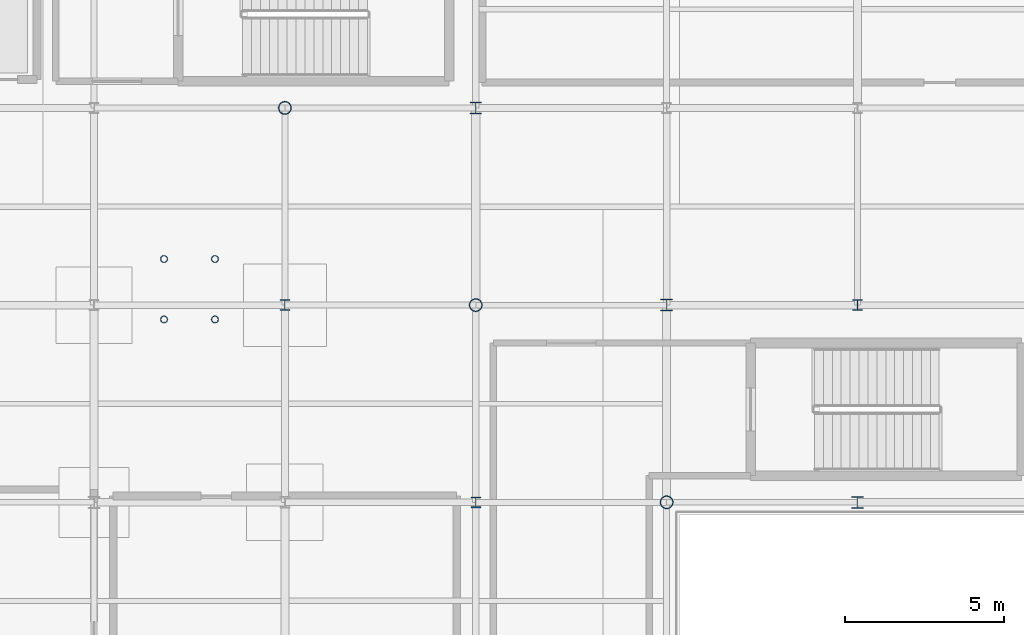
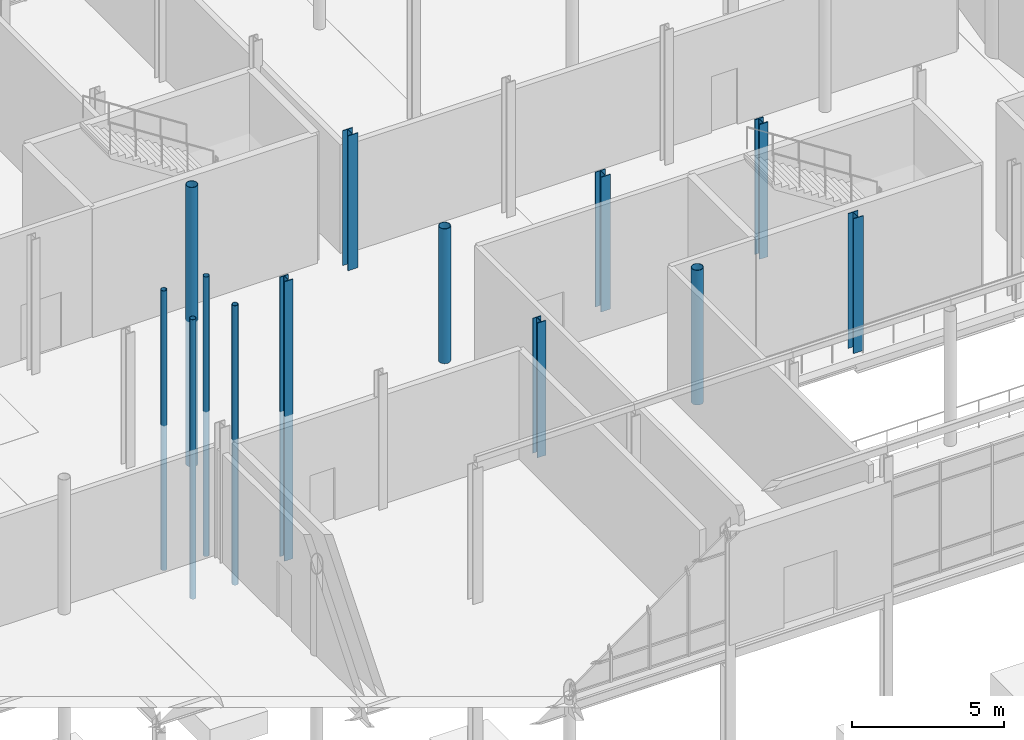
# One storey, part 8 of 98: 13 columns.
"""IFC4 building model written with IfcOpenShell, lengths in metres."""

from ifc_helpers import new_model, si_unit, direction, frame, origin, origin_2d, place, context, subcontext, project, spatial, hollow_circle, i_section, extrude, material, material_profile, profile_set, type_object, element, save


model = new_model("IFC4")

# Units and contexts
model_context = context("Model", 3, precision=1e-05, world=origin(), true_north=direction((0.0, 1.0)))
body_context = subcontext(model_context, "Body", "Model", "MODEL_VIEW")
ifc_project = project(units=[si_unit("LENGTHUNIT", "METRE"), si_unit("AREAUNIT", "SQUARE_METRE"), si_unit("VOLUMEUNIT", "CUBIC_METRE"), si_unit("PLANEANGLEUNIT", "RADIAN"), si_unit("MASSUNIT", "GRAM", prefix="KILO")], contexts=[model_context])

# Site, building, storey
site_placement = place(None, origin())
site = spatial("IfcSite", under=ifc_project, at=site_placement, CompositionType="ELEMENT")
building_placement = place(site_placement, origin())
building = spatial("IfcBuilding", under=site, at=building_placement, Name="Mirzam Square Science Centre", CompositionType="ELEMENT")
storey_placement = place(building_placement, origin())
storey = spatial("IfcBuildingStorey", under=building, at=storey_placement, Name="L00", CompositionType="ELEMENT", Elevation=0.0)

# Columns
ifc_material = material(Name="Steel S355", Category="steel")
ifc_material_profile_1 = material_profile(ifc_material, hollow_circle(Radius=0.109619140625, WallThickness=0.010009765625, at=origin_2d()), Name="219.1x10.0CHS")
ifc_profile_set_1 = profile_set([ifc_material_profile_1], Name="Steel S355")
column_type_1 = type_object("IfcColumnType", Name="COL-CHS219", PredefinedType="COLUMN", material=ifc_profile_set_1)
for number, where, z_axis, x_axis, name in (
    (1, (26.199951171875, 55.35009765625, -5.800048828125), (0.0, 0.0, 1.0), (1.0, 0.0, 0.0), "ST-09 lower support column 1"),
    (2, (27.800048828125, 55.35009765625, -5.800048828125), (0.0, 0.0, 1.0), (1.0, 0.0, 0.0), "ST-09 lower support column 2"),
    (3, (26.199951171875, 57.25, -5.800048828125), (0.0, 0.0, 1.0), (1.0, 0.0, 0.0), "ST-09 lower support column 3"),
    (4, (27.800048828125, 57.25, -5.800048828125), (0.0, 0.0, 1.0), (1.0, 0.0, 0.0), "ST-09 lower support column 4"),
):
    element("IfcColumn", number, at=place(storey_placement, frame(where, z_axis=z_axis, x_axis=x_axis)), inside=storey, type_object=column_type_1, Name=name, PredefinedType="COLUMN", context=body_context, shape_type="SweptSolid", body=[
        extrude(hollow_circle(Radius=0.109619140625, WallThickness=0.010009765625, at=origin_2d()), origin(), (0.0, 0.0, 1.0), 11.199951171875),
    ])
ifc_material_profile_2 = material_profile(ifc_material, hollow_circle(Radius=0.203125, WallThickness=0.01611328125, at=origin_2d()), Name="406.4x16.0CHS")
ifc_profile_set_2 = profile_set([ifc_material_profile_2], Name="Steel S355")
column_type_2 = type_object("IfcColumnType", Name="COL-CHS406", PredefinedType="COLUMN", material=ifc_profile_set_2)
column_1_placement = place(storey_placement, frame((30.0, 62.0, -5.800048828125), z_axis=(0.0, 0.0, 1.0), x_axis=(1.0, 0.0, 0.0)))
element("IfcColumn", 5, at=column_1_placement, inside=storey, type_object=column_type_2, Name="L00 column G06-11", PredefinedType="COLUMN", context=body_context, shape_type="SweptSolid", body=[
    extrude(hollow_circle(Radius=0.203125, WallThickness=0.01611328125, at=origin_2d()), origin(), (0.0, 0.0, 1.0), 11.199951171875),
])
for number, where, z_axis, x_axis, name in (
    (6, (36.0, 55.800048828125, 0.0), (0.0, 0.0, 1.0), (1.0, 0.0, 0.0), "L00 column G07-10"),
    (7, (42.0, 49.60009765625, 0.0), (0.0, 0.0, 1.0), (1.0, 0.0, 0.0), "L00 column G08-09"),
):
    element("IfcColumn", number, at=place(storey_placement, frame(where, z_axis=z_axis, x_axis=x_axis)), inside=storey, type_object=column_type_2, Name=name, PredefinedType="COLUMN", context=body_context, shape_type="SweptSolid", body=[
        extrude(hollow_circle(Radius=0.203125, WallThickness=0.01611328125, at=origin_2d()), origin(), (0.0, 0.0, 1.0), 5.39990234375),
    ])
ifc_material_profile_3 = material_profile(ifc_material, i_section(OverallWidth=0.314453125, OverallDepth=0.33984375, WebThickness=0.01904296875, FlangeThickness=0.031494140625, FilletRadius=0.01513671875, at=origin_2d()), Name="305x305x198UC")
ifc_profile_set_3 = profile_set([ifc_material_profile_3], Name="Steel S355")
column_type_3 = type_object("IfcColumnType", Name="COL-UC305B", PredefinedType="COLUMN", material=ifc_profile_set_3)
column_2_placement = place(storey_placement, frame((30.0, 55.800048828125, -5.800048828125), z_axis=(0.0, 0.0, 1.0), x_axis=(1.0, 0.0, 0.0)))
element("IfcColumn", 8, at=column_2_placement, inside=storey, type_object=column_type_3, Name="L00 column G06-10", PredefinedType="COLUMN", context=body_context, shape_type="SweptSolid", body=[
    extrude(i_section(OverallWidth=0.314453125, OverallDepth=0.33984375, WebThickness=0.01904296875, FlangeThickness=0.031494140625, FilletRadius=0.01513671875, at=origin_2d()), origin(), (0.0, 0.0, 1.0), 11.199951171875),
])
column_3_placement = place(storey_placement, frame((36.0, 49.60009765625, 0.0), z_axis=(0.0, 0.0, 1.0), x_axis=(1.0, 0.0, 0.0)))
element("IfcColumn", 9, at=column_3_placement, inside=storey, type_object=column_type_3, Name="L00 column G07-09", PredefinedType="COLUMN", context=body_context, shape_type="SweptSolid", body=[
    extrude(i_section(OverallWidth=0.314453125, OverallDepth=0.33984375, WebThickness=0.01904296875, FlangeThickness=0.031494140625, FilletRadius=0.01513671875, at=origin_2d()), origin(), (0.0, 0.0, 1.0), 5.39990234375),
])
ifc_material_profile_4 = material_profile(ifc_material, i_section(OverallWidth=0.318359375, OverallDepth=0.3525390625, WebThickness=0.02294921875, FlangeThickness=0.03759765625, FilletRadius=0.01513671875, at=origin_2d()), Name="305x305x240UC")
ifc_profile_set_4 = profile_set([ifc_material_profile_4], Name="Steel S355")
column_type_4 = type_object("IfcColumnType", Name="COL-UC305C", PredefinedType="COLUMN", material=ifc_profile_set_4)
column_4_placement = place(storey_placement, frame((48.0, 55.800048828125, 0.0), z_axis=(0.0, 0.0, 1.0), x_axis=(1.0, 0.0, 0.0)))
element("IfcColumn", 10, at=column_4_placement, inside=storey, type_object=column_type_4, Name="L00 column G09-10", PredefinedType="COLUMN", context=body_context, shape_type="SweptSolid", body=[
    extrude(i_section(OverallWidth=0.318359375, OverallDepth=0.3525390625, WebThickness=0.02294921875, FlangeThickness=0.03759765625, FilletRadius=0.01513671875, at=origin_2d()), origin(), (0.0, 0.0, 1.0), 5.39990234375),
])
ifc_material_profile_5 = material_profile(ifc_material, i_section(OverallWidth=0.374755859375, OverallDepth=0.37451171875, WebThickness=0.0166015625, FlangeThickness=0.027099609375, FilletRadius=0.01513671875, at=origin_2d()), Name="356x368x202UC")
ifc_profile_set_5 = profile_set([ifc_material_profile_5], Name="Steel S355")
column_type_5 = type_object("IfcColumnType", Name="COL-UC356A", PredefinedType="COLUMN", material=ifc_profile_set_5)
for number, where, z_axis, x_axis, name in (
    (11, (36.0, 62.0, 0.0), (0.0, 0.0, 1.0), (1.0, 0.0, 0.0), "L00 column G07-11"),
    (12, (42.0, 55.800048828125, 0.0), (0.0, 0.0, 1.0), (1.0, 0.0, 0.0), "L00 column G08-10"),
    (13, (48.0, 49.60009765625, 0.0), (0.0, 0.0, 1.0), (1.0, 0.0, 0.0), "L00 column G09-09"),
):
    element("IfcColumn", number, at=place(storey_placement, frame(where, z_axis=z_axis, x_axis=x_axis)), inside=storey, type_object=column_type_5, Name=name, PredefinedType="COLUMN", context=body_context, shape_type="SweptSolid", body=[
        extrude(i_section(OverallWidth=0.374755859375, OverallDepth=0.37451171875, WebThickness=0.0166015625, FlangeThickness=0.027099609375, FilletRadius=0.01513671875, at=origin_2d()), origin(), (0.0, 0.0, 1.0), 5.39990234375),
    ])

save(model, "model.ifc")
